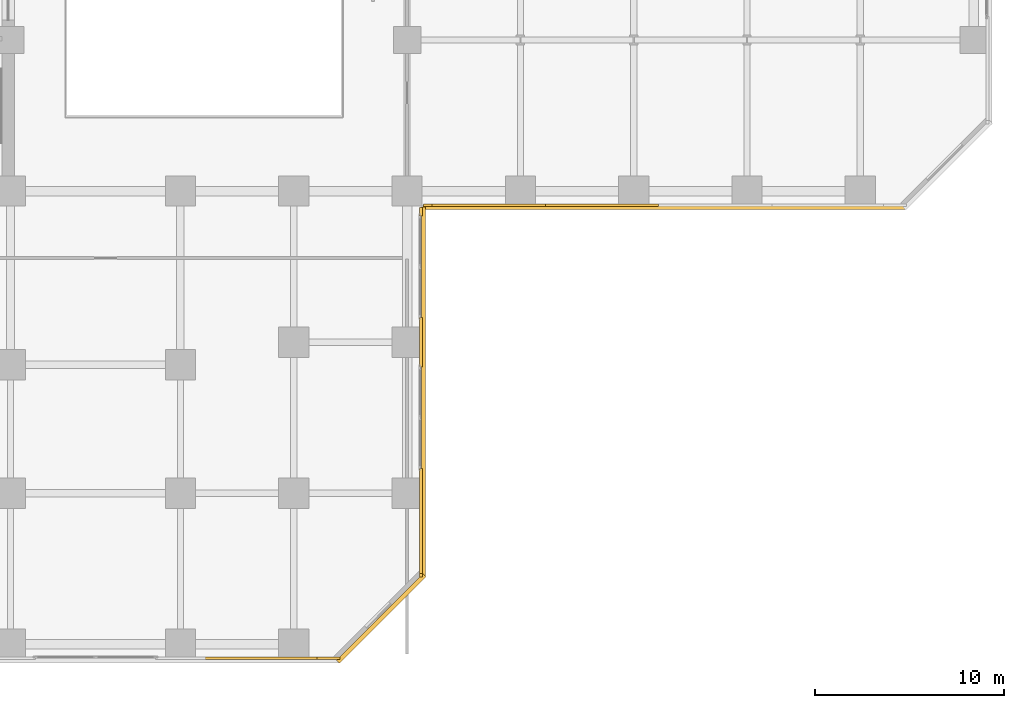
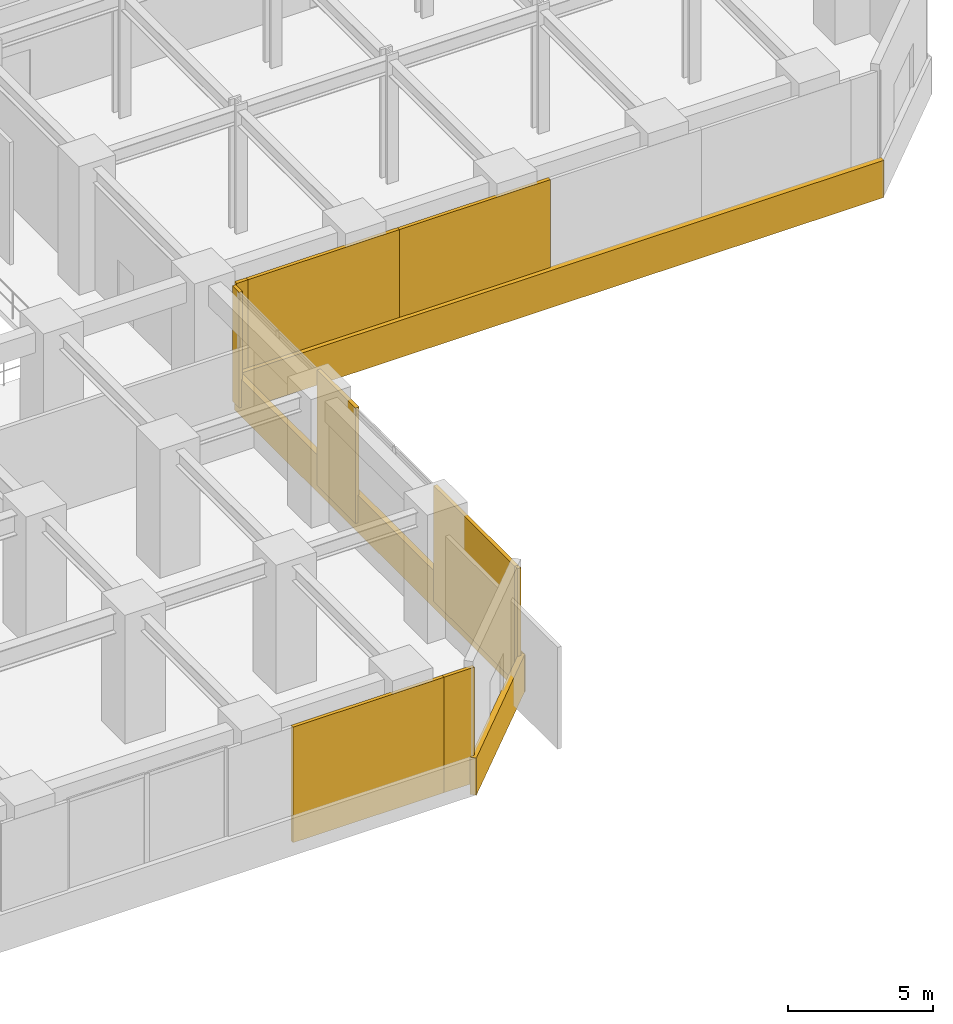
# One storey, part 31 of 33: 12 coverings.
"""IFC4 building model written with IfcOpenShell, lengths in metres."""

from ifc_helpers import new_model, si_unit, direction, frame, origin, origin_2d, place, context, subcontext, project, spatial, rectangle, extrude, source, transform, mapped, material, layer, layer_set, type_object, element, save


model = new_model("IFC4")

# Units and contexts
model_context = context("Model", 3, precision=1e-05, world=origin(), true_north=direction((0.0, 1.0)))
body_context = subcontext(model_context, "Body", "Model", "MODEL_VIEW")
ifc_project = project(units=[si_unit("LENGTHUNIT", "METRE"), si_unit("AREAUNIT", "SQUARE_METRE"), si_unit("VOLUMEUNIT", "CUBIC_METRE"), si_unit("PLANEANGLEUNIT", "RADIAN"), si_unit("MASSUNIT", "GRAM", prefix="KILO")], contexts=[model_context])

# Site, building, storey
site_placement = place(None, origin())
site = spatial("IfcSite", under=ifc_project, at=site_placement, CompositionType="ELEMENT")
building_placement = place(site_placement, origin())
building = spatial("IfcBuilding", under=site, at=building_placement, Name="Torre Montelarca", CompositionType="ELEMENT")
storey_placement = place(building_placement, frame((0.0, 0.0, 12.0)))
storey = spatial("IfcBuildingStorey", under=building, at=storey_placement, Name="L03", CompositionType="ELEMENT", Elevation=12.0)

# Coverings
ifc_material = material(Name="Bush-hammered warm white precast concrete C45/55", Category="concrete")
ifc_layer = layer(ifc_material, 0.139892578125, Name="Bush-hammered warm white precast concrete C45/55", Category="concrete")
ifc_layer_set = layer_set([ifc_layer], Name="Bush-hammered warm white precast concrete C45/55")
covering_type = type_object("IfcCoveringType", Name="COV-TRAY-CLAD", PredefinedType="CLADDING", material=ifc_layer_set)
shared_shape_1 = source(origin(), body_context, "Body", "SweptSolid", [
    extrude(rectangle(XDim=6.48388671875, YDim=0.219970703125, at=origin_2d()), origin(), (0.0, 0.0, 1.0), 1.56005859375),
])
covering_1_placement = place(storey_placement, frame((46.62890625, 1.37109375, -0.400146484375), z_axis=(0.0, 0.0, 1.0), x_axis=(0.707106781187, 0.707106781187, 0.0)))
element("IfcCovering", 1, at=covering_1_placement, inside=storey, type_object=covering_type, Name="L03 Architectural White Spandrel Tray Band PODBOT-02", PredefinedType="CLADDING", context=body_context, shape_type="MappedRepresentation", body=[
    mapped(shared_shape_1, transform((0.0, 0.0, 0.0), scale=1.0)),
])
shared_shape_2 = source(origin(), body_context, "Body", "SweptSolid", [
    extrude(rectangle(XDim=19.6201171875, YDim=0.219970703125, at=origin_2d()), origin(), (0.0, 0.0, 1.0), 1.56005859375),
])
covering_2_placement = place(storey_placement, frame((48.8701171875, 13.35009765625, -0.400146484375), z_axis=(0.0, 0.0, 1.0), x_axis=(0.0, 1.0, 0.0)))
element("IfcCovering", 2, at=covering_2_placement, inside=storey, type_object=covering_type, Name="L03 Architectural White Spandrel Tray Band PODBOT-03", PredefinedType="CLADDING", context=body_context, shape_type="MappedRepresentation", body=[
    mapped(shared_shape_2, transform((0.0, 0.0, 0.0), scale=1.0)),
])
shared_shape_3 = source(origin(), body_context, "Body", "SweptSolid", [
    extrude(rectangle(XDim=25.6201171875, YDim=0.219970703125, at=origin_2d()), origin(), (0.0, 0.0, 1.0), 1.56005859375),
])
covering_3_placement = place(storey_placement, frame((61.64990234375, 23.1298828125, -0.400146484375), z_axis=(0.0, 0.0, 1.0), x_axis=(1.0, 0.0, 0.0)))
element("IfcCovering", 3, at=covering_3_placement, inside=storey, type_object=covering_type, Name="L03 Architectural White Spandrel Tray Band PODBOT-04", PredefinedType="CLADDING", context=body_context, shape_type="MappedRepresentation", body=[
    mapped(shared_shape_3, transform((0.0, 0.0, 0.0), scale=1.0)),
])
shared_shape_4 = source(origin(), body_context, "Body", "SweptSolid", [
    extrude(rectangle(XDim=0.179931640625, YDim=0.139892578125, at=origin_2d()), origin(), (0.0, 0.0, 1.0), 4.85009765625),
])
covering_4_placement = place(storey_placement, frame((48.739990234375, 3.64990234375, 0.0), z_axis=(0.0, 0.0, 1.0), x_axis=(0.0, 1.0, 0.0)))
element("IfcCovering", 4, at=covering_4_placement, inside=storey, type_object=covering_type, Name="L03 Architectural Column Pier Cladding E03-1", PredefinedType="CLADDING", context=body_context, shape_type="MappedRepresentation", body=[
    mapped(shared_shape_4, transform((0.0, 0.0, 0.0), scale=1.0)),
])
shared_shape_5 = source(origin(), body_context, "Body", "SweptSolid", [
    extrude(rectangle(XDim=2.639892578125, YDim=0.139892578125, at=origin_2d()), origin(), (0.0, 0.0, 1.0), 4.85009765625),
])
covering_5_placement = place(storey_placement, frame((48.739990234375, 16.0, 0.0), z_axis=(0.0, 0.0, 1.0), x_axis=(0.0, 1.0, 0.0)))
element("IfcCovering", 5, at=covering_5_placement, inside=storey, type_object=covering_type, Name="L03 Architectural Column Pier Cladding E03-3", PredefinedType="CLADDING", context=body_context, shape_type="MappedRepresentation", body=[
    mapped(shared_shape_5, transform((0.0, 0.0, 0.0), scale=1.0)),
])
shared_shape_6 = source(origin(), body_context, "Body", "SweptSolid", [
    extrude(rectangle(XDim=6.080078125, YDim=0.139892578125, at=origin_2d()), origin(), (0.0, 0.0, 1.0), 4.85009765625),
])
for number, where, z_axis, x_axis, name in (
    (6, (40.280029296875, -0.739990234375, 0.0), (0.0, 0.0, 1.0), (1.0, 0.0, 0.0), "L03 Architectural Column Pier Cladding E01-6"),
    (7, (52.280029296875, 23.260009765625, 0.0), (0.0, 0.0, 1.0), (1.0, 0.0, 0.0), "L03 Architectural Column Pier Cladding E04-2"),
    (8, (58.280029296875, 23.260009765625, 0.0), (0.0, 0.0, 1.0), (1.0, 0.0, 0.0), "L03 Architectural Column Pier Cladding E04-3"),
):
    element("IfcCovering", number, at=place(storey_placement, frame(where, z_axis=z_axis, x_axis=x_axis)), inside=storey, type_object=covering_type, Name=name, PredefinedType="CLADDING", context=body_context, shape_type="MappedRepresentation", body=[
        mapped(shared_shape_6, transform((0.0, 0.0, 0.0), scale=1.0)),
    ])
shared_shape_7 = source(origin(), body_context, "Body", "SweptSolid", [
    extrude(rectangle(XDim=1.199951171875, YDim=0.139892578125, at=origin_2d()), origin(), (0.0, 0.0, 1.0), 4.85009765625),
])
covering_6_placement = place(storey_placement, frame((43.840087890625, -0.739990234375, 0.0), z_axis=(0.0, 0.0, 1.0), x_axis=(1.0, 0.0, 0.0)))
element("IfcCovering", 9, at=covering_6_placement, inside=storey, type_object=covering_type, Name="L03 Architectural Column Pier Cladding E01-7", PredefinedType="CLADDING", context=body_context, shape_type="MappedRepresentation", body=[
    mapped(shared_shape_7, transform((0.0, 0.0, 0.0), scale=1.0)),
])
shared_shape_8 = source(origin(), body_context, "Body", "SweptSolid", [
    extrude(rectangle(XDim=5.659912109375, YDim=0.139892578125, at=origin_2d()), origin(), (0.0, 0.0, 1.0), 4.85009765625),
])
covering_7_placement = place(storey_placement, frame((48.739990234375, 6.489990234375, 0.0), z_axis=(0.0, 0.0, 1.0), x_axis=(0.0, 1.0, 0.0)))
element("IfcCovering", 10, at=covering_7_placement, inside=storey, type_object=covering_type, Name="L03 Architectural Column Pier Cladding E03-2", PredefinedType="CLADDING", context=body_context, shape_type="MappedRepresentation", body=[
    mapped(shared_shape_8, transform((0.0, 0.0, 0.0), scale=1.0)),
])
shared_shape_9 = source(origin(), body_context, "Body", "SweptSolid", [
    extrude(rectangle(XDim=0.4599609375, YDim=0.139892578125, at=origin_2d()), origin(), (0.0, 0.0, 1.0), 4.85009765625),
])
for number, where, z_axis, x_axis, name in (
    (11, (48.739990234375, 22.909912109375, 0.0), (0.0, 0.0, 1.0), (0.0, 1.0, 0.0), "L03 Architectural Column Pier Cladding E03-4"),
    (12, (49.090087890625, 23.260009765625, 0.0), (0.0, 0.0, 1.0), (1.0, 0.0, 0.0), "L03 Architectural Column Pier Cladding E04-1"),
):
    element("IfcCovering", number, at=place(storey_placement, frame(where, z_axis=z_axis, x_axis=x_axis)), inside=storey, type_object=covering_type, Name=name, PredefinedType="CLADDING", context=body_context, shape_type="MappedRepresentation", body=[
        mapped(shared_shape_9, transform((0.0, 0.0, 0.0), scale=1.0)),
    ])

save(model, "model.ifc")
